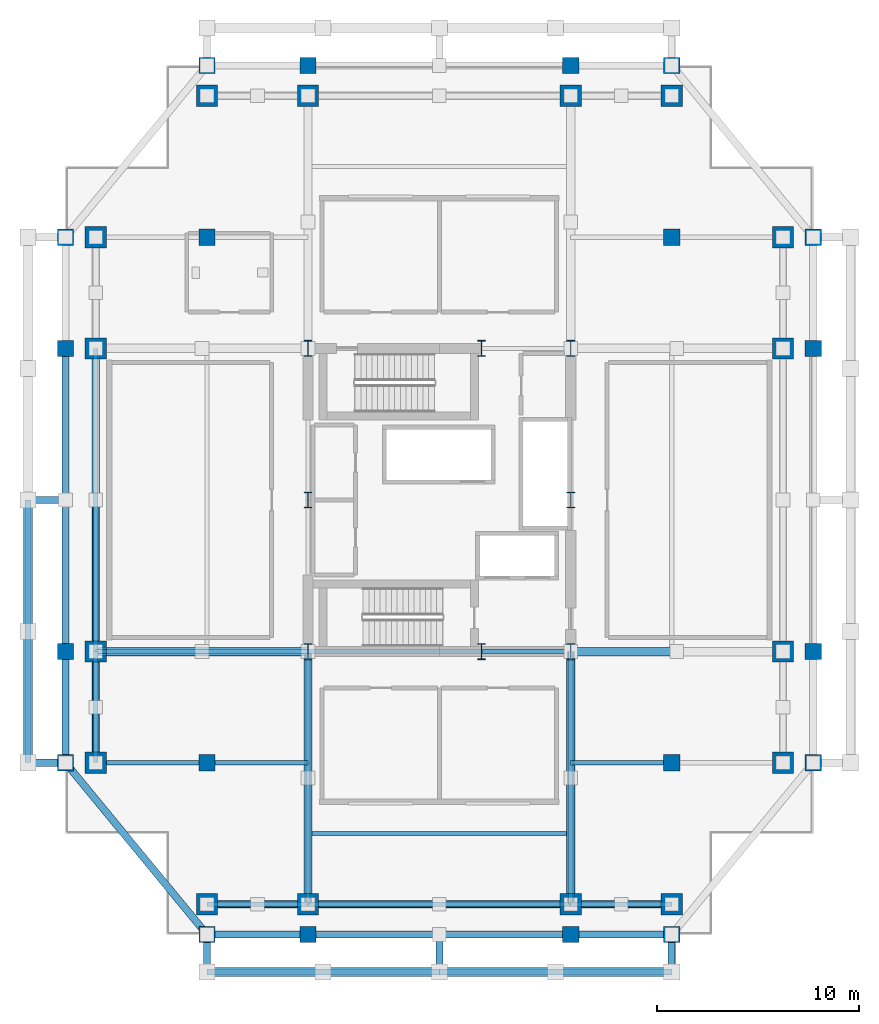
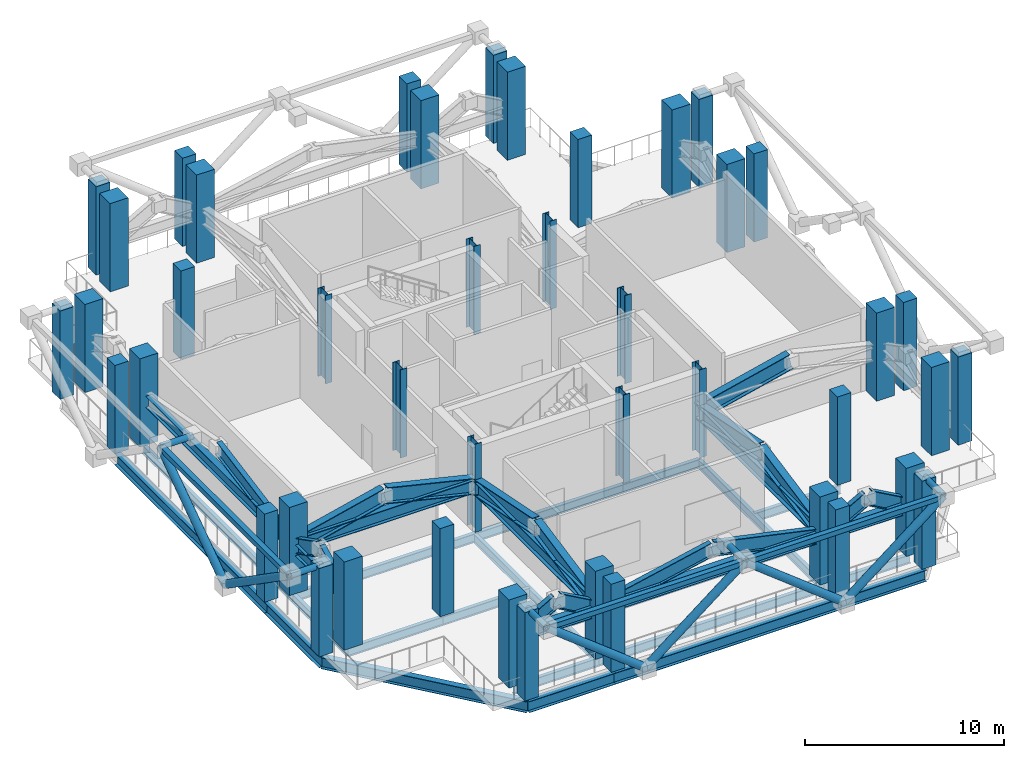
# One storey, part 1 of 9: 44 columns, 38 members, 20 beams.
"""IFC4 building model written with IfcOpenShell, lengths in metres."""

from ifc_helpers import new_model, si_unit, direction, frame, origin, origin_2d, place, context, subcontext, project, spatial, rectangle, hollow_rectangle, hollow_circle, i_section, extrude, material, material_profile, profile_set, type_object, element, save


model = new_model("IFC4")

# Units and contexts
model_context = context("Model", 3, precision=1e-05, world=origin(), true_north=direction((0.0, 1.0)))
body_context = subcontext(model_context, "Body", "Model", "MODEL_VIEW")
ifc_project = project(units=[si_unit("LENGTHUNIT", "METRE"), si_unit("AREAUNIT", "SQUARE_METRE"), si_unit("VOLUMEUNIT", "CUBIC_METRE"), si_unit("PLANEANGLEUNIT", "RADIAN"), si_unit("MASSUNIT", "GRAM", prefix="KILO")], contexts=[model_context])

# Site, building, storey
site_placement = place(None, origin())
site = spatial("IfcSite", under=ifc_project, at=site_placement, CompositionType="ELEMENT")
building_placement = place(site_placement, origin())
building = spatial("IfcBuilding", under=site, at=building_placement, Name="Barlavira Tower and Art Museum", CompositionType="ELEMENT")
storey_placement = place(building_placement, frame((0.0, 0.0, 212.39990234375)))
storey = spatial("IfcBuildingStorey", under=building, at=storey_placement, Name="L55", CompositionType="ELEMENT", Elevation=212.39990234375)

# Columns
ifc_material_1 = material(Name="Steel S355", Category="steel")
ifc_material_profile_1 = material_profile(ifc_material_1, i_section(OverallWidth=0.382080078125, OverallDepth=0.785888671875, WebThickness=0.02001953125, FlangeThickness=0.032958984375, at=origin_2d()), Name="W760x314.0")
ifc_profile_set_1 = profile_set([ifc_material_profile_1], Name="Steel S355")
column_type_1 = type_object("IfcColumnType", Name="Core Composite Column W760x314 Steel S355", PredefinedType="COLUMN", material=ifc_profile_set_1)
for number, where, z_axis, x_axis, name in (
    (1, (-6.5, -7.5, 0.0), (0.0, 0.0, 1.0), (1.0, 0.0, 0.0), "L55 Column CC-L55-C1"),
    (2, (2.080078125, -7.5, 0.0), (0.0, 0.0, 1.0), (1.0, 0.0, 0.0), "L55 Column CC-L55-C2"),
    (3, (6.5, -7.5, 0.0), (0.0, 0.0, 1.0), (1.0, 0.0, 0.0), "L55 Column CC-L55-C3"),
    (4, (-6.5, 0.0, 0.0), (0.0, 0.0, 1.0), (1.0, 0.0, 0.0), "L55 Column CC-L55-C4"),
    (5, (6.5, 0.0, 0.0), (0.0, 0.0, 1.0), (1.0, 0.0, 0.0), "L55 Column CC-L55-C5"),
    (6, (-6.5, 7.5, 0.0), (0.0, 0.0, 1.0), (1.0, 0.0, 0.0), "L55 Column CC-L55-C6"),
    (7, (2.080078125, 7.5, 0.0), (0.0, 0.0, 1.0), (1.0, 0.0, 0.0), "L55 Column CC-L55-C7"),
    (8, (6.5, 7.5, 0.0), (0.0, 0.0, 1.0), (1.0, 0.0, 0.0), "L55 Column CC-L55-C8"),
):
    element("IfcColumn", number, at=place(storey_placement, frame(where, z_axis=z_axis, x_axis=x_axis)), inside=storey, type_object=column_type_1, Name=name, PredefinedType="COLUMN", context=body_context, shape_type="SweptSolid", body=[
        extrude(i_section(OverallWidth=0.382080078125, OverallDepth=0.785888671875, WebThickness=0.02001953125, FlangeThickness=0.032958984375, at=origin_2d()), origin(), (0.0, 0.0, 1.0), 5.400146484375),
    ])
ifc_material_2 = material(Name="Concrete C55", Category="concrete")
ifc_material_profile_2 = material_profile(ifc_material_2, rectangle(XDim=1.050048828125, YDim=1.050048828125, at=origin_2d()), Name="RC-COL 1050x1050")
ifc_profile_set_2 = profile_set([ifc_material_profile_2], Name="Concrete C55")
column_type_2 = type_object("IfcColumnType", Name="Perimeter Mega Column 1050x1050 Concrete C55", PredefinedType="USERDEFINED", material=ifc_profile_set_2)
for number, where, z_axis, x_axis, name in (
    (9, (-11.5, -20.0, 0.0), (0.0, 0.0, 1.0), (1.0, 0.0, 0.0), "L55 Column MC-L55-M01"),
    (10, (-6.5, -20.0, 0.0), (0.0, 0.0, 1.0), (1.0, 0.0, 0.0), "L55 Column MC-L55-M02"),
    (11, (6.5, -20.0, 0.0), (0.0, 0.0, 1.0), (1.0, 0.0, 0.0), "L55 Column MC-L55-M03"),
    (12, (11.5, -20.0, 0.0), (0.0, 0.0, 1.0), (1.0, 0.0, 0.0), "L55 Column MC-L55-M04"),
    (13, (17.0, -13.0, 0.0), (0.0, 0.0, 1.0), (1.0, 0.0, 0.0), "L55 Column MC-L55-M05"),
    (14, (17.0, -7.5, 0.0), (0.0, 0.0, 1.0), (1.0, 0.0, 0.0), "L55 Column MC-L55-M06"),
    (15, (17.0, 7.5, 0.0), (0.0, 0.0, 1.0), (1.0, 0.0, 0.0), "L55 Column MC-L55-M07"),
    (16, (17.0, 13.0, 0.0), (0.0, 0.0, 1.0), (1.0, 0.0, 0.0), "L55 Column MC-L55-M08"),
    (17, (11.5, 20.0, 0.0), (0.0, 0.0, 1.0), (1.0, 0.0, 0.0), "L55 Column MC-L55-M09"),
    (18, (6.5, 20.0, 0.0), (0.0, 0.0, 1.0), (1.0, 0.0, 0.0), "L55 Column MC-L55-M10"),
    (19, (-6.5, 20.0, 0.0), (0.0, 0.0, 1.0), (1.0, 0.0, 0.0), "L55 Column MC-L55-M11"),
    (20, (-11.5, 20.0, 0.0), (0.0, 0.0, 1.0), (1.0, 0.0, 0.0), "L55 Column MC-L55-M12"),
    (21, (-17.0, 13.0, 0.0), (0.0, 0.0, 1.0), (1.0, 0.0, 0.0), "L55 Column MC-L55-M13"),
    (22, (-17.0, 7.5, 0.0), (0.0, 0.0, 1.0), (1.0, 0.0, 0.0), "L55 Column MC-L55-M14"),
    (23, (-17.0, -7.5, 0.0), (0.0, 0.0, 1.0), (1.0, 0.0, 0.0), "L55 Column MC-L55-M15"),
    (24, (-17.0, -13.0, 0.0), (0.0, 0.0, 1.0), (1.0, 0.0, 0.0), "L55 Column MC-L55-M16"),
):
    element("IfcColumn", number, at=place(storey_placement, frame(where, z_axis=z_axis, x_axis=x_axis)), inside=storey, type_object=column_type_2, Name=name, ObjectType="MEGA COLUMN", PredefinedType="USERDEFINED", context=body_context, shape_type="SweptSolid", body=[
        extrude(rectangle(XDim=1.050048828125, YDim=1.050048828125, at=origin_2d()), origin(), (0.0, 0.0, 1.0), 5.400146484375),
    ])
ifc_material_3 = material(Name="Concrete C50", Category="concrete")
ifc_material_profile_3 = material_profile(ifc_material_3, rectangle(XDim=0.800048828125, YDim=0.800048828125, at=origin_2d()), Name="RC-COL 800x800")
ifc_profile_set_3 = profile_set([ifc_material_profile_3], Name="Concrete C50")
column_type_3 = type_object("IfcColumnType", Name="Podium Frame Column 800x800 Concrete C50", PredefinedType="COLUMN", material=ifc_profile_set_3)
for number, where, z_axis, x_axis, name in (
    (25, (-11.5, -13.0, 0.0), (0.0, 0.0, 1.0), (1.0, 0.0, 0.0), "L55 Column CI-L55-I1"),
    (26, (11.5, -13.0, 0.0), (0.0, 0.0, 1.0), (1.0, 0.0, 0.0), "L55 Column CI-L55-I2"),
    (27, (-11.5, 13.0, 0.0), (0.0, 0.0, 1.0), (1.0, 0.0, 0.0), "L55 Column CI-L55-I3"),
    (28, (11.5, 13.0, 0.0), (0.0, 0.0, 1.0), (1.0, 0.0, 0.0), "L55 Column CI-L55-I4"),
    (29, (-11.5, -21.5, 0.0), (0.0, 0.0, 1.0), (1.0, 0.0, 0.0), "L55 Column CZ3-L55-N01"),
    (30, (-6.5, -21.5, 0.0), (0.0, 0.0, 1.0), (1.0, 0.0, 0.0), "L55 Column CZ3-L55-N02"),
    (31, (6.5, -21.5, 0.0), (0.0, 0.0, 1.0), (1.0, 0.0, 0.0), "L55 Column CZ3-L55-N02B"),
    (32, (11.5, -21.5, 0.0), (0.0, 0.0, 1.0), (1.0, 0.0, 0.0), "L55 Column CZ3-L55-N03"),
    (33, (-18.5, -13.0, 0.0), (0.0, 0.0, 1.0), (1.0, 0.0, 0.0), "L55 Column CZ3-L55-N04"),
    (34, (-18.5, -7.5, 0.0), (0.0, 0.0, 1.0), (1.0, 0.0, 0.0), "L55 Column CZ3-L55-N05"),
    (35, (-18.5, 7.5, 0.0), (0.0, 0.0, 1.0), (1.0, 0.0, 0.0), "L55 Column CZ3-L55-N05B"),
    (36, (-18.5, 13.0, 0.0), (0.0, 0.0, 1.0), (1.0, 0.0, 0.0), "L55 Column CZ3-L55-N06"),
    (37, (-11.5, 21.5, 0.0), (0.0, 0.0, 1.0), (1.0, 0.0, 0.0), "L55 Column CZ3-L55-N07"),
    (38, (-6.5, 21.5, 0.0), (0.0, 0.0, 1.0), (1.0, 0.0, 0.0), "L55 Column CZ3-L55-N08"),
    (39, (6.5, 21.5, 0.0), (0.0, 0.0, 1.0), (1.0, 0.0, 0.0), "L55 Column CZ3-L55-N08B"),
    (40, (11.5, 21.5, 0.0), (0.0, 0.0, 1.0), (1.0, 0.0, 0.0), "L55 Column CZ3-L55-N09"),
    (41, (18.5, -13.0, 0.0), (0.0, 0.0, 1.0), (1.0, 0.0, 0.0), "L55 Column CZ3-L55-N10"),
    (42, (18.5, -7.5, 0.0), (0.0, 0.0, 1.0), (1.0, 0.0, 0.0), "L55 Column CZ3-L55-N11"),
    (43, (18.5, 7.5, 0.0), (0.0, 0.0, 1.0), (1.0, 0.0, 0.0), "L55 Column CZ3-L55-N11B"),
    (44, (18.5, 13.0, 0.0), (0.0, 0.0, 1.0), (1.0, 0.0, 0.0), "L55 Column CZ3-L55-N12"),
):
    element("IfcColumn", number, at=place(storey_placement, frame(where, z_axis=z_axis, x_axis=x_axis)), inside=storey, type_object=column_type_3, Name=name, PredefinedType="COLUMN", context=body_context, shape_type="SweptSolid", body=[
        extrude(rectangle(XDim=0.800048828125, YDim=0.800048828125, at=origin_2d()), origin(), (0.0, 0.0, 1.0), 5.400146484375),
    ])

# Members
ifc_material_profile_4 = material_profile(ifc_material_1, i_section(OverallWidth=0.35595703125, OverallDepth=0.695068359375, WebThickness=0.014892578125, FlangeThickness=0.023681640625, at=origin_2d()), Name="W690x192.0")
ifc_profile_set_4 = profile_set([ifc_material_profile_4], Name="Steel S355")
member_type_1 = type_object("IfcMemberType", Name="Belt Truss Chord Member W690x192 Steel S355", PredefinedType="CHORD", material=ifc_profile_set_4)
member_1_placement = place(storey_placement, frame((-11.5, -20.0, 2.650146484375), z_axis=(1.0, 0.0, 0.0), x_axis=(0.0, 1.0, 0.0)))
element("IfcMember", 45, at=member_1_placement, inside=storey, type_object=member_type_1, Name="L55 Belt Truss Bottom Chord BS1", PredefinedType="CHORD", context=body_context, shape_type="SweptSolid", body=[
    extrude(i_section(OverallWidth=0.35595703125, OverallDepth=0.695068359375, WebThickness=0.014892578125, FlangeThickness=0.023681640625, at=origin_2d()), origin(), (0.0, 0.0, 1.0), 5.0),
])
member_2_placement = place(storey_placement, frame((-6.5, -20.0, 2.650146484375), z_axis=(1.0, 0.0, 0.0), x_axis=(0.0, 1.0, 0.0)))
element("IfcMember", 46, at=member_2_placement, inside=storey, type_object=member_type_1, Name="L55 Belt Truss Bottom Chord BS2", PredefinedType="CHORD", context=body_context, shape_type="SweptSolid", body=[
    extrude(i_section(OverallWidth=0.35595703125, OverallDepth=0.695068359375, WebThickness=0.014892578125, FlangeThickness=0.023681640625, at=origin_2d()), origin(), (0.0, 0.0, 1.0), 13.0),
])
member_3_placement = place(storey_placement, frame((6.5, -20.0, 2.650146484375), z_axis=(1.0, 0.0, 0.0), x_axis=(0.0, 1.0, 0.0)))
element("IfcMember", 47, at=member_3_placement, inside=storey, type_object=member_type_1, Name="L55 Belt Truss Bottom Chord BS3", PredefinedType="CHORD", context=body_context, shape_type="SweptSolid", body=[
    extrude(i_section(OverallWidth=0.35595703125, OverallDepth=0.695068359375, WebThickness=0.014892578125, FlangeThickness=0.023681640625, at=origin_2d()), origin(), (0.0, 0.0, 1.0), 5.0),
])
member_4_placement = place(storey_placement, frame((-17.0, -13.0, 2.650146484375), z_axis=(0.0, 1.0, 0.0), x_axis=(-1.0, 0.0, 0.0)))
element("IfcMember", 48, at=member_4_placement, inside=storey, type_object=member_type_1, Name="L55 Belt Truss Bottom Chord BW1", PredefinedType="CHORD", context=body_context, shape_type="SweptSolid", body=[
    extrude(i_section(OverallWidth=0.35595703125, OverallDepth=0.695068359375, WebThickness=0.014892578125, FlangeThickness=0.023681640625, at=origin_2d()), origin(), (0.0, 0.0, 1.0), 5.5),
])
member_5_placement = place(storey_placement, frame((-17.0, -7.5, 2.650146484375), z_axis=(0.0, 1.0, 0.0), x_axis=(-1.0, 0.0, 0.0)))
element("IfcMember", 49, at=member_5_placement, inside=storey, type_object=member_type_1, Name="L55 Belt Truss Bottom Chord BW2", PredefinedType="CHORD", context=body_context, shape_type="SweptSolid", body=[
    extrude(i_section(OverallWidth=0.35595703125, OverallDepth=0.695068359375, WebThickness=0.014892578125, FlangeThickness=0.023681640625, at=origin_2d()), origin(), (0.0, 0.0, 1.0), 15.0),
])
ifc_material_profile_5 = material_profile(ifc_material_1, i_section(OverallWidth=0.2939453125, OverallDepth=0.85107421875, WebThickness=0.017333984375, FlangeThickness=0.0283203125, at=origin_2d()), Name="W840x251.0")
ifc_profile_set_5 = profile_set([ifc_material_profile_5], Name="Steel S355")
member_type_2 = type_object("IfcMemberType", Name="Belt Truss Diagonal Brace W840x251 Steel S355", PredefinedType="BRACE", material=ifc_profile_set_5)
for number, where, z_axis, x_axis, name in (
    (50, (-11.5, -20.0, 2.650146484375), (0.872520545396, 0.0, 0.488577422588), (0.0, 1.0, 0.0), "L55 Belt Truss Diagonal BS1-1"),
    (51, (-9.0, -20.0, 4.050048828125), (0.872520545396, 0.0, -0.488577422588), (0.0, 1.0, 0.0), "L55 Belt Truss Diagonal BS1-2"),
):
    element("IfcMember", number, at=place(storey_placement, frame(where, z_axis=z_axis, x_axis=x_axis)), inside=storey, type_object=member_type_2, Name=name, PredefinedType="BRACE", context=body_context, shape_type="SweptSolid", body=[
        extrude(i_section(OverallWidth=0.2939453125, OverallDepth=0.85107421875, WebThickness=0.017333984375, FlangeThickness=0.0283203125, at=origin_2d()), origin(), (0.0, 0.0, 1.0), 2.865234375),
    ])
for number, where, z_axis, x_axis, name in (
    (52, (-6.5, -20.0, 2.650146484375), (0.977584804239, 0.0, 0.210542039795), (0.0, 1.0, 0.0), "L55 Belt Truss Diagonal BS2-1"),
    (53, (0.0, -20.0, 4.050048828125), (0.977584804239, 0.0, -0.210542039795), (0.0, 1.0, 0.0), "L55 Belt Truss Diagonal BS2-2"),
):
    element("IfcMember", number, at=place(storey_placement, frame(where, z_axis=z_axis, x_axis=x_axis)), inside=storey, type_object=member_type_2, Name=name, PredefinedType="BRACE", context=body_context, shape_type="SweptSolid", body=[
        extrude(i_section(OverallWidth=0.2939453125, OverallDepth=0.85107421875, WebThickness=0.017333984375, FlangeThickness=0.0283203125, at=origin_2d()), origin(), (0.0, 0.0, 1.0), 6.64892578125),
    ])
for number, where, z_axis, x_axis, name in (
    (54, (6.5, -20.0, 2.650146484375), (0.872520545396, 0.0, 0.488577422588), (0.0, 1.0, 0.0), "L55 Belt Truss Diagonal BS3-1"),
    (55, (9.0, -20.0, 4.050048828125), (0.872520545396, 0.0, -0.488577422588), (0.0, 1.0, 0.0), "L55 Belt Truss Diagonal BS3-2"),
):
    element("IfcMember", number, at=place(storey_placement, frame(where, z_axis=z_axis, x_axis=x_axis)), inside=storey, type_object=member_type_2, Name=name, PredefinedType="BRACE", context=body_context, shape_type="SweptSolid", body=[
        extrude(i_section(OverallWidth=0.2939453125, OverallDepth=0.85107421875, WebThickness=0.017333984375, FlangeThickness=0.0283203125, at=origin_2d()), origin(), (0.0, 0.0, 1.0), 2.865234375),
    ])
for number, where, z_axis, x_axis, name in (
    (56, (-17.0, -13.0, 2.650146484375), (0.0, 0.891175910254, 0.453657907439), (-1.0, 0.0, 0.0), "L55 Belt Truss Diagonal BW1-1"),
    (57, (-17.0, -10.25, 4.050048828125), (0.0, 0.891175910254, -0.453657907439), (-1.0, 0.0, 0.0), "L55 Belt Truss Diagonal BW1-2"),
):
    element("IfcMember", number, at=place(storey_placement, frame(where, z_axis=z_axis, x_axis=x_axis)), inside=storey, type_object=member_type_2, Name=name, PredefinedType="BRACE", context=body_context, shape_type="SweptSolid", body=[
        extrude(i_section(OverallWidth=0.2939453125, OverallDepth=0.85107421875, WebThickness=0.017333984375, FlangeThickness=0.0283203125, at=origin_2d()), origin(), (0.0, 0.0, 1.0), 3.085693359375),
    ])
member_6_placement = place(storey_placement, frame((-17.0, -7.5, 2.650146484375), z_axis=(0.0, 0.983022557528, 0.183484744299), x_axis=(-1.0, 0.0, 0.0)))
element("IfcMember", 58, at=member_6_placement, inside=storey, type_object=member_type_2, Name="L55 Belt Truss Diagonal BW2-1", PredefinedType="BRACE", context=body_context, shape_type="SweptSolid", body=[
    extrude(i_section(OverallWidth=0.2939453125, OverallDepth=0.85107421875, WebThickness=0.017333984375, FlangeThickness=0.0283203125, at=origin_2d()), origin(), (0.0, 0.0, 1.0), 7.629638671875),
])
ifc_material_profile_6 = material_profile(ifc_material_1, i_section(OverallWidth=0.382080078125, OverallDepth=0.785888671875, WebThickness=0.02001953125, FlangeThickness=0.032958984375, at=origin_2d()), Name="W760x314.0")
ifc_profile_set_6 = profile_set([ifc_material_profile_6], Name="Steel S355")
member_type_3 = type_object("IfcMemberType", Name="Outrigger Truss Chord Member W760x314 Steel S355", PredefinedType="CHORD", material=ifc_profile_set_6)
member_7_placement = place(storey_placement, frame((-6.5, -7.5, 2.650146484375), z_axis=(-1.0, 0.0, 0.0), x_axis=(0.0, -1.0, 0.0)))
element("IfcMember", 59, at=member_7_placement, inside=storey, type_object=member_type_3, Name="L55 Outrigger Bottom Chord WS", PredefinedType="CHORD", context=body_context, shape_type="SweptSolid", body=[
    extrude(i_section(OverallWidth=0.382080078125, OverallDepth=0.785888671875, WebThickness=0.02001953125, FlangeThickness=0.032958984375, at=origin_2d()), origin(), (0.0, 0.0, 1.0), 10.5),
])
for number, where, z_axis, x_axis, name in (
    (60, (-6.5, -7.5, 2.650146484375), (0.0, -1.0, 0.0), (1.0, 0.0, 0.0), "L55 Outrigger Bottom Chord SW"),
    (61, (6.5, -7.5, 2.650146484375), (0.0, -1.0, 0.0), (1.0, 0.0, 0.0), "L55 Outrigger Bottom Chord SE"),
):
    element("IfcMember", number, at=place(storey_placement, frame(where, z_axis=z_axis, x_axis=x_axis)), inside=storey, type_object=member_type_3, Name=name, PredefinedType="CHORD", context=body_context, shape_type="SweptSolid", body=[
        extrude(i_section(OverallWidth=0.382080078125, OverallDepth=0.785888671875, WebThickness=0.02001953125, FlangeThickness=0.032958984375, at=origin_2d()), origin(), (0.0, 0.0, 1.0), 12.5),
    ])
ifc_material_profile_7 = material_profile(ifc_material_1, i_section(OverallWidth=0.419921875, OverallDepth=0.9599609375, WebThickness=0.02197265625, FlangeThickness=0.033935546875, at=origin_2d()), Name="W920x387.0")
ifc_profile_set_7 = profile_set([ifc_material_profile_7], Name="Steel S355")
member_type_4 = type_object("IfcMemberType", Name="Outrigger Truss Diagonal Brace W920x387 Steel S355", PredefinedType="BRACE", material=ifc_profile_set_7)
for number, where, z_axis, x_axis, name in (
    (62, (-6.5, -7.5, 2.650146484375), (-0.972806214685, 0.0, 0.231620527306), (0.0, -1.0, 0.0), "L55 Outrigger Diagonal Brace WS-1"),
    (63, (-11.75, -7.5, 3.900146484375), (-0.972806214685, 0.0, -0.231620527306), (0.0, -1.0, 0.0), "L55 Outrigger Diagonal Brace WS-2"),
    (64, (6.5, -7.5, 2.650146484375), (0.972806214685, 0.0, 0.231620527306), (0.0, 1.0, 0.0), "L55 Outrigger Diagonal Brace ES-1"),
):
    element("IfcMember", number, at=place(storey_placement, frame(where, z_axis=z_axis, x_axis=x_axis)), inside=storey, type_object=member_type_4, Name=name, PredefinedType="BRACE", context=body_context, shape_type="SweptSolid", body=[
        extrude(i_section(OverallWidth=0.419921875, OverallDepth=0.9599609375, WebThickness=0.02197265625, FlangeThickness=0.033935546875, at=origin_2d()), origin(), (0.0, 0.0, 1.0), 5.396728515625),
    ])
for number, where, z_axis, x_axis, name in (
    (65, (-6.5, -7.5, 2.650146484375), (0.0, -0.980580675691, 0.196116135138), (1.0, 0.0, 0.0), "L55 Outrigger Diagonal Brace SW-1"),
    (66, (-6.5, -13.75, 3.900146484375), (0.0, -0.980580675691, -0.196116135138), (1.0, 0.0, 0.0), "L55 Outrigger Diagonal Brace SW-2"),
    (67, (6.5, -7.5, 2.650146484375), (0.0, -0.980580675691, 0.196116135138), (1.0, 0.0, 0.0), "L55 Outrigger Diagonal Brace SE-1"),
    (68, (6.5, -13.75, 3.900146484375), (0.0, -0.980580675691, -0.196116135138), (1.0, 0.0, 0.0), "L55 Outrigger Diagonal Brace SE-2"),
):
    element("IfcMember", number, at=place(storey_placement, frame(where, z_axis=z_axis, x_axis=x_axis)), inside=storey, type_object=member_type_4, Name=name, PredefinedType="BRACE", context=body_context, shape_type="SweptSolid", body=[
        extrude(i_section(OverallWidth=0.419921875, OverallDepth=0.9599609375, WebThickness=0.02197265625, FlangeThickness=0.033935546875, at=origin_2d()), origin(), (0.0, 0.0, 1.0), 6.373779296875),
    ])
ifc_material_profile_8 = material_profile(ifc_material_1, hollow_circle(Radius=0.228515625, WallThickness=0.02001953125, at=origin_2d()), Name="CHS 457.0x20.0")
ifc_profile_set_8 = profile_set([ifc_material_profile_8], Name="Steel S355")
member_type_5 = type_object("IfcMemberType", Name="Pale-Metal Exoskeleton Diagrid Tube CHS 457x20 Steel S355", PredefinedType="BRACE", material=ifc_profile_set_8)
for number, where, z_axis, x_axis, name in (
    (69, (-5.75, -23.35009765625, 0.780029296875), (-0.787505001008, 0.0, 0.616308261658), (0.0, -1.0, 0.0), "L55 Exoskeleton Diagrid Tube S"),
    (70, (-5.75, -23.35009765625, 0.780029296875), (0.787505001008, 0.0, 0.616308261658), (0.0, 1.0, 0.0), "L55 Exoskeleton Diagrid Tube S"),
    (71, (5.75, -23.35009765625, 0.780029296875), (-0.787505001008, 0.0, 0.616308261658), (0.0, -1.0, 0.0), "L55 Exoskeleton Diagrid Tube S"),
    (72, (5.75, -23.35009765625, 0.780029296875), (0.787505001008, 0.0, 0.616308261658), (0.0, 1.0, 0.0), "L55 Exoskeleton Diagrid Tube S"),
):
    element("IfcMember", number, at=place(storey_placement, frame(where, z_axis=z_axis, x_axis=x_axis)), inside=storey, type_object=member_type_5, Name=name, PredefinedType="BRACE", context=body_context, shape_type="SweptSolid", body=[
        extrude(hollow_circle(Radius=0.228515625, WallThickness=0.02001953125, at=origin_2d()), origin(), (0.0, 0.0, 1.0), 7.301513671875),
    ])
for number, where, z_axis, x_axis, name in (
    (73, (-20.35009765625, -6.5, 0.780029296875), (0.0, -0.822192191644, 0.56920997883), (1.0, 0.0, 0.0), "L55 Exoskeleton Diagrid Tube W"),
    (74, (-20.35009765625, -6.5, 0.780029296875), (0.0, 0.822192191644, 0.56920997883), (-1.0, 0.0, 0.0), "L55 Exoskeleton Diagrid Tube W"),
):
    element("IfcMember", number, at=place(storey_placement, frame(where, z_axis=z_axis, x_axis=x_axis)), inside=storey, type_object=member_type_5, Name=name, PredefinedType="BRACE", context=body_context, shape_type="SweptSolid", body=[
        extrude(hollow_circle(Radius=0.228515625, WallThickness=0.02001953125, at=origin_2d()), origin(), (0.0, 0.0, 1.0), 7.90576171875),
    ])
ifc_material_profile_9 = material_profile(ifc_material_1, hollow_circle(Radius=0.177734375, WallThickness=0.01611328125, at=origin_2d()), Name="CHS 355.6x16.0")
ifc_profile_set_9 = profile_set([ifc_material_profile_9], Name="Steel S355")
member_type_6 = type_object("IfcMemberType", Name="Pale-Metal Exoskeleton Tie Strut CHS 356x16 Steel S355", PredefinedType="STRUT", material=ifc_profile_set_9)
for number, where, z_axis, x_axis, name in (
    (75, (-11.5, -23.35009765625, 5.280029296875), (0.0, 1.0, 0.0), (-1.0, 0.0, 0.0), "L55 Exoskeleton Top Tie Strut S1"),
    (76, (0.0, -23.35009765625, 5.280029296875), (0.0, 1.0, 0.0), (-1.0, 0.0, 0.0), "L55 Exoskeleton Top Tie Strut S2"),
    (77, (11.5, -23.35009765625, 5.280029296875), (0.0, 1.0, 0.0), (-1.0, 0.0, 0.0), "L55 Exoskeleton Top Tie Strut S3"),
    (78, (-20.35009765625, -13.0, 5.280029296875), (1.0, 0.0, 0.0), (0.0, 1.0, 0.0), "L55 Exoskeleton Top Tie Strut W1"),
    (79, (-20.35009765625, 0.0, 5.280029296875), (1.0, 0.0, 0.0), (0.0, 1.0, 0.0), "L55 Exoskeleton Top Tie Strut W2"),
):
    element("IfcMember", number, at=place(storey_placement, frame(where, z_axis=z_axis, x_axis=x_axis)), inside=storey, type_object=member_type_6, Name=name, PredefinedType="STRUT", context=body_context, shape_type="SweptSolid", body=[
        extrude(hollow_circle(Radius=0.177734375, WallThickness=0.01611328125, at=origin_2d()), origin(), (0.0, 0.0, 1.0), 1.85009765625),
    ])
ifc_material_profile_10 = material_profile(ifc_material_1, hollow_rectangle(XDim=0.300048828125, YDim=0.300048828125, WallThickness=0.01611328125, at=origin_2d()), Name="SHS 300x300x16.0")
ifc_profile_set_10 = profile_set([ifc_material_profile_10], Name="Steel S355")
member_type_7 = type_object("IfcMemberType", Name="Pale-Metal Upper Ring Strut SHS 300x300x16 Steel S355", PredefinedType="STRUT", material=ifc_profile_set_10)
for number, where, z_axis, x_axis, name in (
    (80, (-11.5, -23.35009765625, 5.280029296875), (1.0, 0.0, 0.0), (0.0, 1.0, 0.0), "L55 Exoskeleton Top Ring Strut S"),
    (81, (0.0, -23.35009765625, 5.280029296875), (1.0, 0.0, 0.0), (0.0, 1.0, 0.0), "L55 Exoskeleton Top Ring Strut S"),
):
    element("IfcMember", number, at=place(storey_placement, frame(where, z_axis=z_axis, x_axis=x_axis)), inside=storey, type_object=member_type_7, Name=name, PredefinedType="STRUT", context=body_context, shape_type="SweptSolid", body=[
        extrude(hollow_rectangle(XDim=0.300048828125, YDim=0.300048828125, WallThickness=0.01611328125, at=origin_2d()), origin(), (0.0, 0.0, 1.0), 11.5),
    ])
member_8_placement = place(storey_placement, frame((-20.35009765625, -13.0, 5.280029296875), z_axis=(0.0, 1.0, 0.0), x_axis=(-1.0, 0.0, 0.0)))
element("IfcMember", 82, at=member_8_placement, inside=storey, type_object=member_type_7, Name="L55 Exoskeleton Top Ring Strut W", PredefinedType="STRUT", context=body_context, shape_type="SweptSolid", body=[
    extrude(hollow_rectangle(XDim=0.300048828125, YDim=0.300048828125, WallThickness=0.01611328125, at=origin_2d()), origin(), (0.0, 0.0, 1.0), 13.0),
])

# Beams
ifc_material_profile_11 = material_profile(ifc_material_1, i_section(OverallWidth=0.35595703125, OverallDepth=0.695068359375, WebThickness=0.014892578125, FlangeThickness=0.023681640625, at=origin_2d()), Name="W690x192.0")
ifc_profile_set_11 = profile_set([ifc_material_profile_11], Name="Steel S355")
beam_type_1 = type_object("IfcBeamType", Name="Wind Floor Perimeter Edge Spandrel W690x192 Steel S355", PredefinedType="SPANDREL", material=ifc_profile_set_11)
beam_1_placement = place(storey_placement, frame((-11.5, -21.5, -0.6474609375), z_axis=(1.0, 0.0, 0.0), x_axis=(0.0, 1.0, 0.0)))
element("IfcBeam", 83, at=beam_1_placement, inside=storey, type_object=beam_type_1, Name="L55 Spandrel 1", PredefinedType="SPANDREL", context=body_context, shape_type="SweptSolid", body=[
    extrude(i_section(OverallWidth=0.35595703125, OverallDepth=0.695068359375, WebThickness=0.014892578125, FlangeThickness=0.023681640625, at=origin_2d()), origin(), (0.0, 0.0, 1.0), 5.0),
])
beam_2_placement = place(storey_placement, frame((-6.5, -21.5, -0.6474609375), z_axis=(1.0, 0.0, 0.0), x_axis=(0.0, 1.0, 0.0)))
element("IfcBeam", 84, at=beam_2_placement, inside=storey, type_object=beam_type_1, Name="L55 Spandrel 2", PredefinedType="SPANDREL", context=body_context, shape_type="SweptSolid", body=[
    extrude(i_section(OverallWidth=0.35595703125, OverallDepth=0.695068359375, WebThickness=0.014892578125, FlangeThickness=0.023681640625, at=origin_2d()), origin(), (0.0, 0.0, 1.0), 13.0),
])
beam_3_placement = place(storey_placement, frame((6.5, -21.5, -0.6474609375), z_axis=(1.0, 0.0, 0.0), x_axis=(0.0, 1.0, 0.0)))
element("IfcBeam", 85, at=beam_3_placement, inside=storey, type_object=beam_type_1, Name="L55 Spandrel 3", PredefinedType="SPANDREL", context=body_context, shape_type="SweptSolid", body=[
    extrude(i_section(OverallWidth=0.35595703125, OverallDepth=0.695068359375, WebThickness=0.014892578125, FlangeThickness=0.023681640625, at=origin_2d()), origin(), (0.0, 0.0, 1.0), 5.0),
])
beam_4_placement = place(storey_placement, frame((-18.5, -7.5, -0.6474609375), z_axis=(0.0, 1.0, 0.0), x_axis=(-1.0, 0.0, 0.0)))
element("IfcBeam", 86, at=beam_4_placement, inside=storey, type_object=beam_type_1, Name="L55 Spandrel 14", PredefinedType="SPANDREL", context=body_context, shape_type="SweptSolid", body=[
    extrude(i_section(OverallWidth=0.35595703125, OverallDepth=0.695068359375, WebThickness=0.014892578125, FlangeThickness=0.023681640625, at=origin_2d()), origin(), (0.0, 0.0, 1.0), 15.0),
])
beam_5_placement = place(storey_placement, frame((-18.5, -13.0, -0.6474609375), z_axis=(0.0, 1.0, 0.0), x_axis=(-1.0, 0.0, 0.0)))
element("IfcBeam", 87, at=beam_5_placement, inside=storey, type_object=beam_type_1, Name="L55 Spandrel 15", PredefinedType="SPANDREL", context=body_context, shape_type="SweptSolid", body=[
    extrude(i_section(OverallWidth=0.35595703125, OverallDepth=0.695068359375, WebThickness=0.014892578125, FlangeThickness=0.023681640625, at=origin_2d()), origin(), (0.0, 0.0, 1.0), 5.5),
])
beam_6_placement = place(storey_placement, frame((-18.5, -13.0, -0.6474609375), z_axis=(0.635707252861, -0.771930235617, 0.0), x_axis=(0.771930235617, 0.635707252861, 0.0)))
element("IfcBeam", 88, at=beam_6_placement, inside=storey, type_object=beam_type_1, Name="L55 Spandrel 16", PredefinedType="SPANDREL", context=body_context, shape_type="SweptSolid", body=[
    extrude(i_section(OverallWidth=0.35595703125, OverallDepth=0.695068359375, WebThickness=0.014892578125, FlangeThickness=0.023681640625, at=origin_2d()), origin(), (0.0, 0.0, 1.0), 11.011474609375),
])
ifc_material_profile_12 = material_profile(ifc_material_1, i_section(OverallWidth=0.205078125, OverallDepth=0.35400390625, WebThickness=0.009521484375, FlangeThickness=0.016845703125, at=origin_2d()), Name="W360x79.0")
ifc_profile_set_12 = profile_set([ifc_material_profile_12], Name="Steel S355")
beam_type_2 = type_object("IfcBeamType", Name="Zone 3 Composite Floor Joist W360x79 Steel S355", PredefinedType="JOIST", material=ifc_profile_set_12)
beam_7_placement = place(storey_placement, frame((-6.5, -16.5, -0.476806640625), z_axis=(1.0, 0.0, 0.0), x_axis=(0.0, 1.0, 0.0)))
element("IfcBeam", 89, at=beam_7_placement, inside=storey, type_object=beam_type_2, Name="L55 Joist C1", PredefinedType="JOIST", context=body_context, shape_type="SweptSolid", body=[
    extrude(i_section(OverallWidth=0.205078125, OverallDepth=0.35400390625, WebThickness=0.009521484375, FlangeThickness=0.016845703125, at=origin_2d()), origin(), (0.0, 0.0, 1.0), 13.0),
])
ifc_material_profile_13 = material_profile(ifc_material_1, i_section(OverallWidth=0.2109375, OverallDepth=0.5390625, WebThickness=0.01171875, FlangeThickness=0.018798828125, at=origin_2d()), Name="W530x109.0")
ifc_profile_set_13 = profile_set([ifc_material_profile_13], Name="Steel S355")
beam_type_3 = type_object("IfcBeamType", Name="Zone 3-4 Primary Floor Girder W530x109 Steel S355", PredefinedType="BEAM", material=ifc_profile_set_13)
beam_8_placement = place(storey_placement, frame((-6.5, -7.5, -0.5693359375), z_axis=(1.0, 0.0, 0.0), x_axis=(0.0, 1.0, 0.0)))
element("IfcBeam", 90, at=beam_8_placement, inside=storey, type_object=beam_type_3, Name="L55 Girder C-S1", PredefinedType="BEAM", context=body_context, shape_type="SweptSolid", body=[
    extrude(i_section(OverallWidth=0.2109375, OverallDepth=0.5390625, WebThickness=0.01171875, FlangeThickness=0.018798828125, at=origin_2d()), origin(), (0.0, 0.0, 1.0), 8.580078125),
])
beam_9_placement = place(storey_placement, frame((2.080078125, -7.5, -0.5693359375), z_axis=(1.0, 0.0, 0.0), x_axis=(0.0, 1.0, 0.0)))
element("IfcBeam", 91, at=beam_9_placement, inside=storey, type_object=beam_type_3, Name="L55 Girder C-S2", PredefinedType="BEAM", context=body_context, shape_type="SweptSolid", body=[
    extrude(i_section(OverallWidth=0.2109375, OverallDepth=0.5390625, WebThickness=0.01171875, FlangeThickness=0.018798828125, at=origin_2d()), origin(), (0.0, 0.0, 1.0), 4.419921875),
])
beam_10_placement = place(storey_placement, frame((-11.5, -20.0, -0.5693359375), z_axis=(1.0, 0.0, 0.0), x_axis=(0.0, 1.0, 0.0)))
element("IfcBeam", 92, at=beam_10_placement, inside=storey, type_object=beam_type_3, Name="L55 Girder M-S1", PredefinedType="BEAM", context=body_context, shape_type="SweptSolid", body=[
    extrude(i_section(OverallWidth=0.2109375, OverallDepth=0.5390625, WebThickness=0.01171875, FlangeThickness=0.018798828125, at=origin_2d()), origin(), (0.0, 0.0, 1.0), 5.0),
])
beam_11_placement = place(storey_placement, frame((-6.5, -20.0, -0.5693359375), z_axis=(1.0, 0.0, 0.0), x_axis=(0.0, 1.0, 0.0)))
element("IfcBeam", 93, at=beam_11_placement, inside=storey, type_object=beam_type_3, Name="L55 Girder M-S2", PredefinedType="BEAM", context=body_context, shape_type="SweptSolid", body=[
    extrude(i_section(OverallWidth=0.2109375, OverallDepth=0.5390625, WebThickness=0.01171875, FlangeThickness=0.018798828125, at=origin_2d()), origin(), (0.0, 0.0, 1.0), 13.0),
])
beam_12_placement = place(storey_placement, frame((6.5, -20.0, -0.5693359375), z_axis=(1.0, 0.0, 0.0), x_axis=(0.0, 1.0, 0.0)))
element("IfcBeam", 94, at=beam_12_placement, inside=storey, type_object=beam_type_3, Name="L55 Girder M-S3", PredefinedType="BEAM", context=body_context, shape_type="SweptSolid", body=[
    extrude(i_section(OverallWidth=0.2109375, OverallDepth=0.5390625, WebThickness=0.01171875, FlangeThickness=0.018798828125, at=origin_2d()), origin(), (0.0, 0.0, 1.0), 5.0),
])
beam_13_placement = place(storey_placement, frame((-17.0, -13.0, -0.5693359375), z_axis=(0.0, 1.0, 0.0), x_axis=(-1.0, 0.0, 0.0)))
element("IfcBeam", 95, at=beam_13_placement, inside=storey, type_object=beam_type_3, Name="L55 Girder M-W1", PredefinedType="BEAM", context=body_context, shape_type="SweptSolid", body=[
    extrude(i_section(OverallWidth=0.2109375, OverallDepth=0.5390625, WebThickness=0.01171875, FlangeThickness=0.018798828125, at=origin_2d()), origin(), (0.0, 0.0, 1.0), 5.5),
])
beam_14_placement = place(storey_placement, frame((-17.0, -7.5, -0.5693359375), z_axis=(0.0, 1.0, 0.0), x_axis=(-1.0, 0.0, 0.0)))
element("IfcBeam", 96, at=beam_14_placement, inside=storey, type_object=beam_type_3, Name="L55 Girder M-W2", PredefinedType="BEAM", context=body_context, shape_type="SweptSolid", body=[
    extrude(i_section(OverallWidth=0.2109375, OverallDepth=0.5390625, WebThickness=0.01171875, FlangeThickness=0.018798828125, at=origin_2d()), origin(), (0.0, 0.0, 1.0), 15.0),
])
for number, where, z_axis, x_axis, name in (
    (97, (-6.5, -20.0, -0.5693359375), (0.0, 1.0, 0.0), (-1.0, 0.0, 0.0), "L55 Girder R-S1"),
    (98, (6.5, -20.0, -0.5693359375), (0.0, 1.0, 0.0), (-1.0, 0.0, 0.0), "L55 Girder R-S2"),
):
    element("IfcBeam", number, at=place(storey_placement, frame(where, z_axis=z_axis, x_axis=x_axis)), inside=storey, type_object=beam_type_3, Name=name, PredefinedType="BEAM", context=body_context, shape_type="SweptSolid", body=[
        extrude(i_section(OverallWidth=0.2109375, OverallDepth=0.5390625, WebThickness=0.01171875, FlangeThickness=0.018798828125, at=origin_2d()), origin(), (0.0, 0.0, 1.0), 12.5),
    ])
beam_15_placement = place(storey_placement, frame((-17.0, -7.5, -0.5693359375), z_axis=(1.0, 0.0, 0.0), x_axis=(0.0, 1.0, 0.0)))
element("IfcBeam", 99, at=beam_15_placement, inside=storey, type_object=beam_type_3, Name="L55 Girder R-W1", PredefinedType="BEAM", context=body_context, shape_type="SweptSolid", body=[
    extrude(i_section(OverallWidth=0.2109375, OverallDepth=0.5390625, WebThickness=0.01171875, FlangeThickness=0.018798828125, at=origin_2d()), origin(), (0.0, 0.0, 1.0), 10.5),
])
beam_16_placement = place(storey_placement, frame((-17.0, -13.0, -0.5693359375), z_axis=(1.0, 0.0, 0.0), x_axis=(0.0, 1.0, 0.0)))
element("IfcBeam", 100, at=beam_16_placement, inside=storey, type_object=beam_type_3, Name="L55 Girder I-S1", PredefinedType="BEAM", context=body_context, shape_type="SweptSolid", body=[
    extrude(i_section(OverallWidth=0.2109375, OverallDepth=0.5390625, WebThickness=0.01171875, FlangeThickness=0.018798828125, at=origin_2d()), origin(), (0.0, 0.0, 1.0), 5.5),
])
for number, where, z_axis, x_axis, name in (
    (101, (-11.5, -13.0, -0.5693359375), (1.0, 0.0, 0.0), (0.0, 1.0, 0.0), "L55 Girder I-S2"),
    (102, (6.5, -13.0, -0.5693359375), (1.0, 0.0, 0.0), (0.0, 1.0, 0.0), "L55 Girder I-S3"),
):
    element("IfcBeam", number, at=place(storey_placement, frame(where, z_axis=z_axis, x_axis=x_axis)), inside=storey, type_object=beam_type_3, Name=name, PredefinedType="BEAM", context=body_context, shape_type="SweptSolid", body=[
        extrude(i_section(OverallWidth=0.2109375, OverallDepth=0.5390625, WebThickness=0.01171875, FlangeThickness=0.018798828125, at=origin_2d()), origin(), (0.0, 0.0, 1.0), 5.0),
    ])

save(model, "model.ifc")
